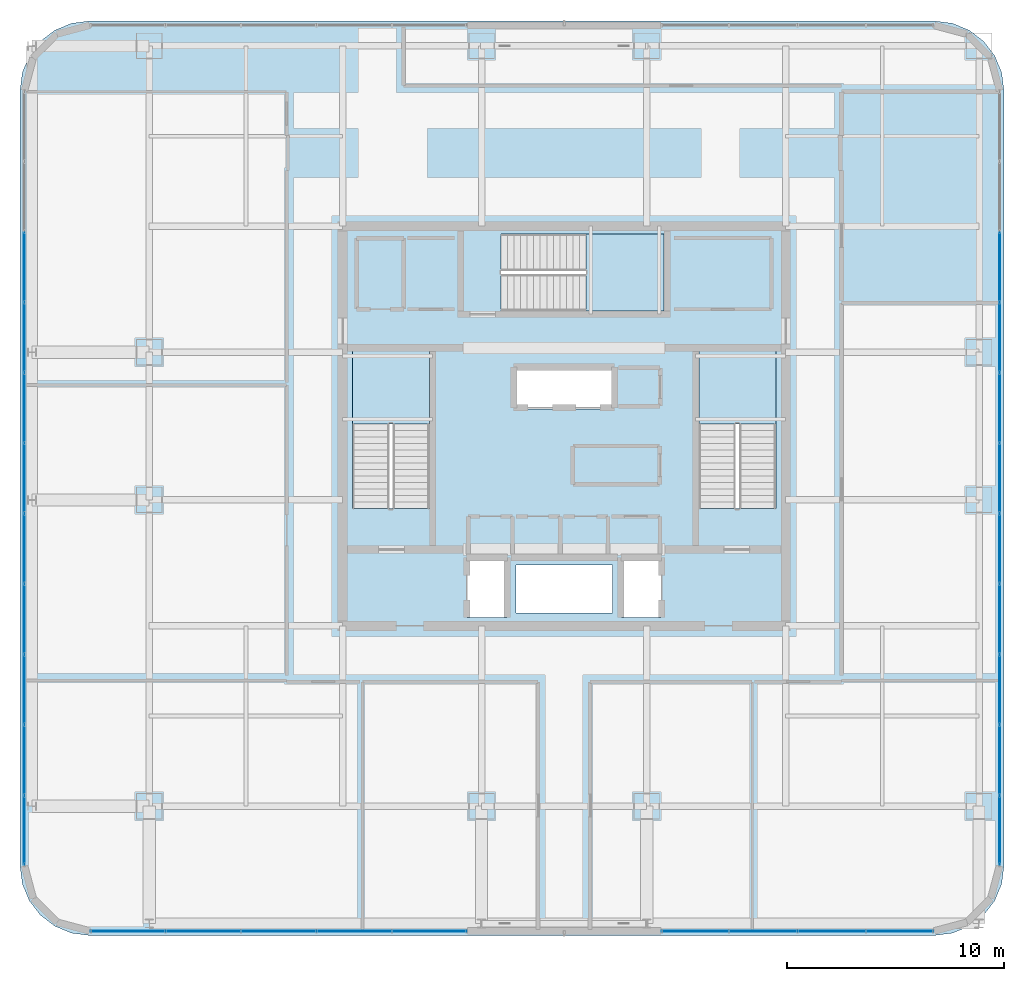
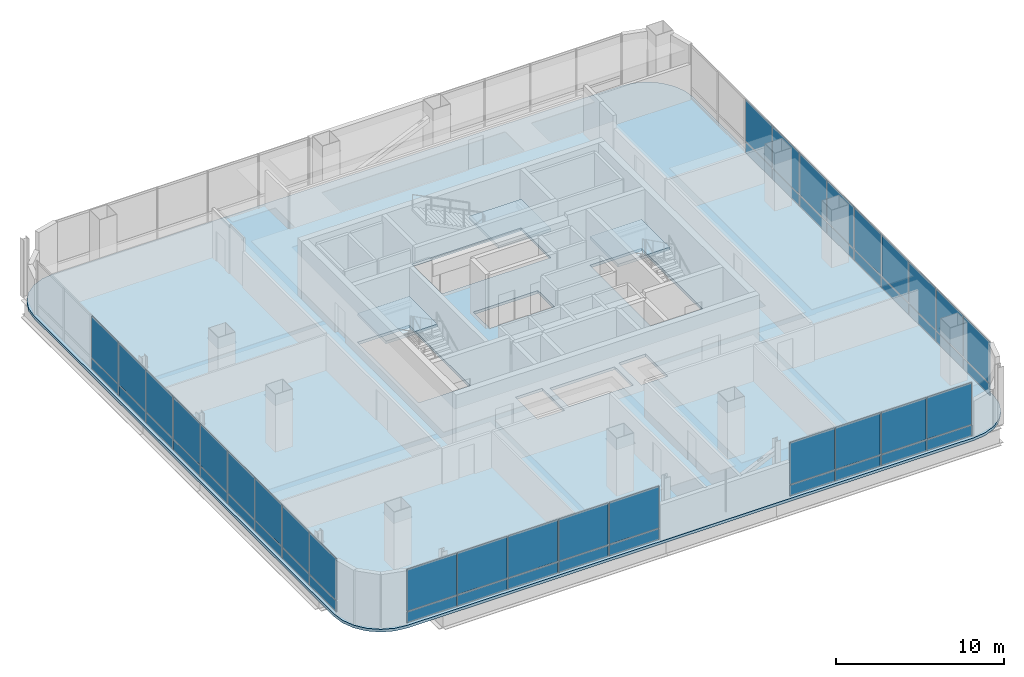
# One storey, part 32 of 46: 54 plates, 4 slabs, 7 elements without a shape of their own.
"""IFC4 building model written with IfcOpenShell, lengths in metres."""

from ifc_helpers import new_model, si_unit, direction, frame, origin, origin_2d, place, context, subcontext, project, spatial, polyline, rectangle, outline, extrude, material, layer, layer_set, type_object, element, aggregate, save


model = new_model("IFC4")

# Units and contexts
model_context = context("Model", 3, precision=1e-05, world=origin(), true_north=direction((0.0, 1.0)))
body_context = subcontext(model_context, "Body", "Model", "MODEL_VIEW")
ifc_project = project(units=[si_unit("LENGTHUNIT", "METRE"), si_unit("AREAUNIT", "SQUARE_METRE"), si_unit("VOLUMEUNIT", "CUBIC_METRE"), si_unit("PLANEANGLEUNIT", "RADIAN"), si_unit("MASSUNIT", "GRAM", prefix="KILO")], contexts=[model_context])

# Site, building, storey
site_placement = place(None, origin())
site = spatial("IfcSite", under=ifc_project, at=site_placement, CompositionType="ELEMENT")
building_placement = place(site_placement, origin())
building = spatial("IfcBuilding", under=site, at=building_placement, Name="Punatoya Terracotta Tower", CompositionType="ELEMENT")
storey_placement = place(building_placement, frame((0.0, 0.0, 330.0)))
storey = spatial("IfcBuildingStorey", under=building, at=storey_placement, Name="L78", CompositionType="ELEMENT", Elevation=330.0)

# Curtain wall, plates
ifc_material_1 = material(Name="Aluminium 6063-T6 + Double Low-E Glass", Category="aluminium")
curtain_wall_type = type_object("IfcCurtainWallType", Name="CW-OBS", PredefinedType="NOTDEFINED", material=ifc_material_1)
curtain_wall_1_placement = place(storey_placement, origin())
curtain_wall_1 = element("IfcCurtainWall", 1, at=curtain_wall_1_placement, inside=storey, type_object=curtain_wall_type, Name="L78 Curtain Wall CW-L78-S01-1", PredefinedType="NOTDEFINED")
ifc_material_2 = material(Name="Laminated Observation Low-Iron Glass", Category="glass")
ifc_layer_1 = layer(ifc_material_2, 0.0380859375)
ifc_layer_set_1 = layer_set([ifc_layer_1], Name="Laminated Observation Low-Iron Glass")
plate_type_1 = type_object("IfcPlateType", Name="PLT-GLZ-38", PredefinedType="CURTAIN_PANEL", material=ifc_layer_set_1)
plate_1_placement = place(storey_placement, frame((-20.09814453125, -23.25, 0.89013671875), z_axis=(0.0, 0.0, 1.0), x_axis=(1.0, 0.0, 0.0)))
plate_1 = element("IfcPlate", 2, at=plate_1_placement, type_object=plate_type_1, Name="CW-L78-S01-1 Vision Glass Panel 1", PredefinedType="CURTAIN_PANEL", context=body_context, shape_type="SweptSolid", body=[
    extrude(rectangle(XDim=3.392333984375, YDim=0.0380859375, at=origin_2d()), origin(), (0.0, 0.0, 1.0), 3.010009765625),
])
plate_2_placement = place(storey_placement, frame((-16.620849609375, -23.25, 0.89013671875), z_axis=(0.0, 0.0, 1.0), x_axis=(1.0, 0.0, 0.0)))
plate_2 = element("IfcPlate", 3, at=plate_2_placement, type_object=plate_type_1, Name="CW-L78-S01-1 Vision Glass Panel 2", PredefinedType="CURTAIN_PANEL", context=body_context, shape_type="SweptSolid", body=[
    extrude(rectangle(XDim=3.392333984375, YDim=0.0380859375, at=origin_2d()), origin(), (0.0, 0.0, 1.0), 3.010009765625),
])
plate_3_placement = place(storey_placement, frame((-13.143310546875, -23.25, 0.89013671875), z_axis=(0.0, 0.0, 1.0), x_axis=(1.0, 0.0, 0.0)))
plate_3 = element("IfcPlate", 4, at=plate_3_placement, type_object=plate_type_1, Name="CW-L78-S01-1 Vision Glass Panel 3", PredefinedType="CURTAIN_PANEL", context=body_context, shape_type="SweptSolid", body=[
    extrude(rectangle(XDim=3.392333984375, YDim=0.0380859375, at=origin_2d()), origin(), (0.0, 0.0, 1.0), 3.010009765625),
])
plate_4_placement = place(storey_placement, frame((-9.666015625, -23.25, 0.89013671875), z_axis=(0.0, 0.0, 1.0), x_axis=(1.0, 0.0, 0.0)))
plate_4 = element("IfcPlate", 5, at=plate_4_placement, type_object=plate_type_1, Name="CW-L78-S01-1 Vision Glass Panel 4", PredefinedType="CURTAIN_PANEL", context=body_context, shape_type="SweptSolid", body=[
    extrude(rectangle(XDim=3.392333984375, YDim=0.0380859375, at=origin_2d()), origin(), (0.0, 0.0, 1.0), 3.010009765625),
])
plate_5_placement = place(storey_placement, frame((-6.188720703125, -23.25, 0.89013671875), z_axis=(0.0, 0.0, 1.0), x_axis=(1.0, 0.0, 0.0)))
plate_5 = element("IfcPlate", 6, at=plate_5_placement, type_object=plate_type_1, Name="CW-L78-S01-1 Vision Glass Panel 5", PredefinedType="CURTAIN_PANEL", context=body_context, shape_type="SweptSolid", body=[
    extrude(rectangle(XDim=3.392333984375, YDim=0.0380859375, at=origin_2d()), origin(), (0.0, 0.0, 1.0), 3.010009765625),
])

curtain_wall_2_placement = place(storey_placement, origin())
curtain_wall_2 = element("IfcCurtainWall", 7, at=curtain_wall_2_placement, inside=storey, type_object=curtain_wall_type, Name="L78 Curtain Wall CW-L78-S01-2", PredefinedType="NOTDEFINED")
plate_6_placement = place(storey_placement, frame((6.0234375, -23.25, 0.89013671875), z_axis=(0.0, 0.0, 1.0), x_axis=(1.0, 0.0, 0.0)))
plate_6 = element("IfcPlate", 8, at=plate_6_placement, type_object=plate_type_1, Name="CW-L78-S01-2 Vision Glass Panel 1", PredefinedType="CURTAIN_PANEL", context=body_context, shape_type="SweptSolid", body=[
    extrude(rectangle(XDim=3.061767578125, YDim=0.0380859375, at=origin_2d()), origin(), (0.0, 0.0, 1.0), 3.010009765625),
])
plate_7_placement = place(storey_placement, frame((9.170166015625, -23.25, 0.89013671875), z_axis=(0.0, 0.0, 1.0), x_axis=(1.0, 0.0, 0.0)))
plate_7 = element("IfcPlate", 9, at=plate_7_placement, type_object=plate_type_1, Name="CW-L78-S01-2 Vision Glass Panel 2", PredefinedType="CURTAIN_PANEL", context=body_context, shape_type="SweptSolid", body=[
    extrude(rectangle(XDim=3.061767578125, YDim=0.0380859375, at=origin_2d()), origin(), (0.0, 0.0, 1.0), 3.010009765625),
])
plate_8_placement = place(storey_placement, frame((12.31689453125, -23.25, 0.89013671875), z_axis=(0.0, 0.0, 1.0), x_axis=(1.0, 0.0, 0.0)))
plate_8 = element("IfcPlate", 10, at=plate_8_placement, type_object=plate_type_1, Name="CW-L78-S01-2 Vision Glass Panel 3", PredefinedType="CURTAIN_PANEL", context=body_context, shape_type="SweptSolid", body=[
    extrude(rectangle(XDim=3.061767578125, YDim=0.0380859375, at=origin_2d()), origin(), (0.0, 0.0, 1.0), 3.010009765625),
])
plate_9_placement = place(storey_placement, frame((15.46337890625, -23.25, 0.89013671875), z_axis=(0.0, 0.0, 1.0), x_axis=(1.0, 0.0, 0.0)))
plate_9 = element("IfcPlate", 11, at=plate_9_placement, type_object=plate_type_1, Name="CW-L78-S01-2 Vision Glass Panel 4", PredefinedType="CURTAIN_PANEL", context=body_context, shape_type="SweptSolid", body=[
    extrude(rectangle(XDim=3.061767578125, YDim=0.0380859375, at=origin_2d()), origin(), (0.0, 0.0, 1.0), 3.010009765625),
])

curtain_wall_3_placement = place(storey_placement, origin())
curtain_wall_3 = element("IfcCurtainWall", 12, at=curtain_wall_3_placement, inside=storey, type_object=curtain_wall_type, Name="L78 Curtain Wall CW-L78-E05-1", PredefinedType="NOTDEFINED")
plate_10_placement = place(storey_placement, frame((20.050048828125, -18.615478515625, 0.89013671875), z_axis=(0.0, 0.0, 1.0), x_axis=(0.0, 1.0, 0.0)))
plate_10 = element("IfcPlate", 13, at=plate_10_placement, type_object=plate_type_1, Name="CW-L78-E05-1 Vision Glass Panel 1", PredefinedType="CURTAIN_PANEL", context=body_context, shape_type="SweptSolid", body=[
    extrude(rectangle(XDim=3.158203125, YDim=0.0380859375, at=origin_2d()), origin(), (0.0, 0.0, 1.0), 3.010009765625),
])
plate_11_placement = place(storey_placement, frame((20.050048828125, -15.372314453125, 0.89013671875), z_axis=(0.0, 0.0, 1.0), x_axis=(0.0, 1.0, 0.0)))
plate_11 = element("IfcPlate", 14, at=plate_11_placement, type_object=plate_type_1, Name="CW-L78-E05-1 Vision Glass Panel 2", PredefinedType="CURTAIN_PANEL", context=body_context, shape_type="SweptSolid", body=[
    extrude(rectangle(XDim=3.158203125, YDim=0.0380859375, at=origin_2d()), origin(), (0.0, 0.0, 1.0), 3.010009765625),
])
plate_12_placement = place(storey_placement, frame((20.050048828125, -12.129150390625, 0.89013671875), z_axis=(0.0, 0.0, 1.0), x_axis=(0.0, 1.0, 0.0)))
plate_12 = element("IfcPlate", 15, at=plate_12_placement, type_object=plate_type_1, Name="CW-L78-E05-1 Vision Glass Panel 3", PredefinedType="CURTAIN_PANEL", context=body_context, shape_type="SweptSolid", body=[
    extrude(rectangle(XDim=3.158203125, YDim=0.0380859375, at=origin_2d()), origin(), (0.0, 0.0, 1.0), 3.010009765625),
])
plate_13_placement = place(storey_placement, frame((20.050048828125, -8.885986328125, 0.89013671875), z_axis=(0.0, 0.0, 1.0), x_axis=(0.0, 1.0, 0.0)))
plate_13 = element("IfcPlate", 16, at=plate_13_placement, type_object=plate_type_1, Name="CW-L78-E05-1 Vision Glass Panel 4", PredefinedType="CURTAIN_PANEL", context=body_context, shape_type="SweptSolid", body=[
    extrude(rectangle(XDim=3.158203125, YDim=0.0380859375, at=origin_2d()), origin(), (0.0, 0.0, 1.0), 3.010009765625),
])
plate_14_placement = place(storey_placement, frame((20.050048828125, -5.64306640625, 0.89013671875), z_axis=(0.0, 0.0, 1.0), x_axis=(0.0, 1.0, 0.0)))
plate_14 = element("IfcPlate", 17, at=plate_14_placement, type_object=plate_type_1, Name="CW-L78-E05-1 Vision Glass Panel 5", PredefinedType="CURTAIN_PANEL", context=body_context, shape_type="SweptSolid", body=[
    extrude(rectangle(XDim=3.158203125, YDim=0.0380859375, at=origin_2d()), origin(), (0.0, 0.0, 1.0), 3.010009765625),
])
plate_15_placement = place(storey_placement, frame((20.050048828125, -2.39990234375, 0.89013671875), z_axis=(0.0, 0.0, 1.0), x_axis=(0.0, 1.0, 0.0)))
plate_15 = element("IfcPlate", 18, at=plate_15_placement, type_object=plate_type_1, Name="CW-L78-E05-1 Vision Glass Panel 6", PredefinedType="CURTAIN_PANEL", context=body_context, shape_type="SweptSolid", body=[
    extrude(rectangle(XDim=3.158203125, YDim=0.0380859375, at=origin_2d()), origin(), (0.0, 0.0, 1.0), 3.010009765625),
])
plate_16_placement = place(storey_placement, frame((20.050048828125, 0.843017578125, 0.89013671875), z_axis=(0.0, 0.0, 1.0), x_axis=(0.0, 1.0, 0.0)))
plate_16 = element("IfcPlate", 19, at=plate_16_placement, type_object=plate_type_1, Name="CW-L78-E05-1 Vision Glass Panel 7", PredefinedType="CURTAIN_PANEL", context=body_context, shape_type="SweptSolid", body=[
    extrude(rectangle(XDim=3.158203125, YDim=0.0380859375, at=origin_2d()), origin(), (0.0, 0.0, 1.0), 3.010009765625),
])
plate_17_placement = place(storey_placement, frame((20.050048828125, 4.086181640625, 0.89013671875), z_axis=(0.0, 0.0, 1.0), x_axis=(0.0, 1.0, 0.0)))
plate_17 = element("IfcPlate", 20, at=plate_17_placement, type_object=plate_type_1, Name="CW-L78-E05-1 Vision Glass Panel 8", PredefinedType="CURTAIN_PANEL", context=body_context, shape_type="SweptSolid", body=[
    extrude(rectangle(XDim=3.158203125, YDim=0.0380859375, at=origin_2d()), origin(), (0.0, 0.0, 1.0), 3.010009765625),
])
plate_18_placement = place(storey_placement, frame((20.050048828125, 7.3291015625, 0.89013671875), z_axis=(0.0, 0.0, 1.0), x_axis=(0.0, 1.0, 0.0)))
plate_18 = element("IfcPlate", 21, at=plate_18_placement, type_object=plate_type_1, Name="CW-L78-E05-1 Vision Glass Panel 9", PredefinedType="CURTAIN_PANEL", context=body_context, shape_type="SweptSolid", body=[
    extrude(rectangle(XDim=3.158203125, YDim=0.0380859375, at=origin_2d()), origin(), (0.0, 0.0, 1.0), 3.010009765625),
])

curtain_wall_4_placement = place(storey_placement, origin())
curtain_wall_4 = element("IfcCurtainWall", 22, at=curtain_wall_4_placement, inside=storey, type_object=curtain_wall_type, Name="L78 Curtain Wall CW-L78-W13-1", PredefinedType="NOTDEFINED")
plate_19_placement = place(storey_placement, frame((-24.85009765625, 7.3291015625, 0.89013671875), z_axis=(0.0, 0.0, 1.0), x_axis=(0.0, -1.0, 0.0)))
plate_19 = element("IfcPlate", 23, at=plate_19_placement, type_object=plate_type_1, Name="CW-L78-W13-1 Vision Glass Panel 3", PredefinedType="CURTAIN_PANEL", context=body_context, shape_type="SweptSolid", body=[
    extrude(rectangle(XDim=3.158203125, YDim=0.0380859375, at=origin_2d()), origin(), (0.0, 0.0, 1.0), 3.010009765625),
])
plate_20_placement = place(storey_placement, frame((-24.85009765625, 4.086181640625, 0.89013671875), z_axis=(0.0, 0.0, 1.0), x_axis=(0.0, -1.0, 0.0)))
plate_20 = element("IfcPlate", 24, at=plate_20_placement, type_object=plate_type_1, Name="CW-L78-W13-1 Vision Glass Panel 4", PredefinedType="CURTAIN_PANEL", context=body_context, shape_type="SweptSolid", body=[
    extrude(rectangle(XDim=3.158203125, YDim=0.0380859375, at=origin_2d()), origin(), (0.0, 0.0, 1.0), 3.010009765625),
])
plate_21_placement = place(storey_placement, frame((-24.85009765625, 0.843017578125, 0.89013671875), z_axis=(0.0, 0.0, 1.0), x_axis=(0.0, -1.0, 0.0)))
plate_21 = element("IfcPlate", 25, at=plate_21_placement, type_object=plate_type_1, Name="CW-L78-W13-1 Vision Glass Panel 5", PredefinedType="CURTAIN_PANEL", context=body_context, shape_type="SweptSolid", body=[
    extrude(rectangle(XDim=3.158203125, YDim=0.0380859375, at=origin_2d()), origin(), (0.0, 0.0, 1.0), 3.010009765625),
])
plate_22_placement = place(storey_placement, frame((-24.85009765625, -2.39990234375, 0.89013671875), z_axis=(0.0, 0.0, 1.0), x_axis=(0.0, -1.0, 0.0)))
plate_22 = element("IfcPlate", 26, at=plate_22_placement, type_object=plate_type_1, Name="CW-L78-W13-1 Vision Glass Panel 6", PredefinedType="CURTAIN_PANEL", context=body_context, shape_type="SweptSolid", body=[
    extrude(rectangle(XDim=3.158203125, YDim=0.0380859375, at=origin_2d()), origin(), (0.0, 0.0, 1.0), 3.010009765625),
])
plate_23_placement = place(storey_placement, frame((-24.85009765625, -5.64306640625, 0.89013671875), z_axis=(0.0, 0.0, 1.0), x_axis=(0.0, -1.0, 0.0)))
plate_23 = element("IfcPlate", 27, at=plate_23_placement, type_object=plate_type_1, Name="CW-L78-W13-1 Vision Glass Panel 7", PredefinedType="CURTAIN_PANEL", context=body_context, shape_type="SweptSolid", body=[
    extrude(rectangle(XDim=3.158203125, YDim=0.0380859375, at=origin_2d()), origin(), (0.0, 0.0, 1.0), 3.010009765625),
])
plate_24_placement = place(storey_placement, frame((-24.85009765625, -8.885986328125, 0.89013671875), z_axis=(0.0, 0.0, 1.0), x_axis=(0.0, -1.0, 0.0)))
plate_24 = element("IfcPlate", 28, at=plate_24_placement, type_object=plate_type_1, Name="CW-L78-W13-1 Vision Glass Panel 8", PredefinedType="CURTAIN_PANEL", context=body_context, shape_type="SweptSolid", body=[
    extrude(rectangle(XDim=3.158203125, YDim=0.0380859375, at=origin_2d()), origin(), (0.0, 0.0, 1.0), 3.010009765625),
])
plate_25_placement = place(storey_placement, frame((-24.85009765625, -12.129150390625, 0.89013671875), z_axis=(0.0, 0.0, 1.0), x_axis=(0.0, -1.0, 0.0)))
plate_25 = element("IfcPlate", 29, at=plate_25_placement, type_object=plate_type_1, Name="CW-L78-W13-1 Vision Glass Panel 9", PredefinedType="CURTAIN_PANEL", context=body_context, shape_type="SweptSolid", body=[
    extrude(rectangle(XDim=3.158203125, YDim=0.0380859375, at=origin_2d()), origin(), (0.0, 0.0, 1.0), 3.010009765625),
])
plate_26_placement = place(storey_placement, frame((-24.85009765625, -15.372314453125, 0.89013671875), z_axis=(0.0, 0.0, 1.0), x_axis=(0.0, -1.0, 0.0)))
plate_26 = element("IfcPlate", 30, at=plate_26_placement, type_object=plate_type_1, Name="CW-L78-W13-1 Vision Glass Panel 10", PredefinedType="CURTAIN_PANEL", context=body_context, shape_type="SweptSolid", body=[
    extrude(rectangle(XDim=3.158203125, YDim=0.0380859375, at=origin_2d()), origin(), (0.0, 0.0, 1.0), 3.010009765625),
])
plate_27_placement = place(storey_placement, frame((-24.85009765625, -18.615478515625, 0.89013671875), z_axis=(0.0, 0.0, 1.0), x_axis=(0.0, -1.0, 0.0)))
plate_27 = element("IfcPlate", 31, at=plate_27_placement, type_object=plate_type_1, Name="CW-L78-W13-1 Vision Glass Panel 11", PredefinedType="CURTAIN_PANEL", context=body_context, shape_type="SweptSolid", body=[
    extrude(rectangle(XDim=3.158203125, YDim=0.0380859375, at=origin_2d()), origin(), (0.0, 0.0, 1.0), 3.010009765625),
])

# Plate
ifc_material_3 = material(Name="Insulated Terracotta-Backed Spandrel Panel", Category="masonry")
ifc_layer_2 = layer(ifc_material_3, 0.044921875)
ifc_layer_set_2 = layer_set([ifc_layer_2], Name="Insulated Terracotta-Backed Spandrel Panel")
plate_type_2 = type_object("IfcPlateType", Name="PLT-SPN-45", PredefinedType="CURTAIN_PANEL", material=ifc_layer_set_2)
plate_28_placement = place(storey_placement, frame((-20.09814453125, -23.25, 0.0400390625), z_axis=(0.0, 0.0, 1.0), x_axis=(1.0, 0.0, 0.0)))
plate_28 = element("IfcPlate", 32, at=plate_28_placement, type_object=plate_type_2, Name="CW-L78-S01-1 Terracotta Spandrel Panel 1", PredefinedType="CURTAIN_PANEL", context=body_context, shape_type="SweptSolid", body=[
    extrude(rectangle(XDim=3.392333984375, YDim=0.044921875, at=origin_2d()), origin(), (0.0, 0.0, 1.0), 0.77490234375),
])

plate_29_placement = place(storey_placement, frame((-16.620849609375, -23.25, 0.0400390625), z_axis=(0.0, 0.0, 1.0), x_axis=(1.0, 0.0, 0.0)))
plate_29 = element("IfcPlate", 33, at=plate_29_placement, type_object=plate_type_2, Name="CW-L78-S01-1 Terracotta Spandrel Panel 2", PredefinedType="CURTAIN_PANEL", context=body_context, shape_type="SweptSolid", body=[
    extrude(rectangle(XDim=3.392333984375, YDim=0.044921875, at=origin_2d()), origin(), (0.0, 0.0, 1.0), 0.77490234375),
])

plate_30_placement = place(storey_placement, frame((-13.143310546875, -23.25, 0.0400390625), z_axis=(0.0, 0.0, 1.0), x_axis=(1.0, 0.0, 0.0)))
plate_30 = element("IfcPlate", 34, at=plate_30_placement, type_object=plate_type_2, Name="CW-L78-S01-1 Terracotta Spandrel Panel 3", PredefinedType="CURTAIN_PANEL", context=body_context, shape_type="SweptSolid", body=[
    extrude(rectangle(XDim=3.392333984375, YDim=0.044921875, at=origin_2d()), origin(), (0.0, 0.0, 1.0), 0.77490234375),
])

plate_31_placement = place(storey_placement, frame((-9.666015625, -23.25, 0.0400390625), z_axis=(0.0, 0.0, 1.0), x_axis=(1.0, 0.0, 0.0)))
plate_31 = element("IfcPlate", 35, at=plate_31_placement, type_object=plate_type_2, Name="CW-L78-S01-1 Terracotta Spandrel Panel 4", PredefinedType="CURTAIN_PANEL", context=body_context, shape_type="SweptSolid", body=[
    extrude(rectangle(XDim=3.392333984375, YDim=0.044921875, at=origin_2d()), origin(), (0.0, 0.0, 1.0), 0.77490234375),
])

plate_32_placement = place(storey_placement, frame((-6.188720703125, -23.25, 0.0400390625), z_axis=(0.0, 0.0, 1.0), x_axis=(1.0, 0.0, 0.0)))
plate_32 = element("IfcPlate", 36, at=plate_32_placement, type_object=plate_type_2, Name="CW-L78-S01-1 Terracotta Spandrel Panel 5", PredefinedType="CURTAIN_PANEL", context=body_context, shape_type="SweptSolid", body=[
    extrude(rectangle(XDim=3.392333984375, YDim=0.044921875, at=origin_2d()), origin(), (0.0, 0.0, 1.0), 0.77490234375),
])

aggregate(curtain_wall_1, [plate_28, plate_1, plate_29, plate_2, plate_30, plate_3, plate_31, plate_4, plate_32, plate_5])

plate_33_placement = place(storey_placement, frame((6.0234375, -23.25, 0.0400390625), z_axis=(0.0, 0.0, 1.0), x_axis=(1.0, 0.0, 0.0)))
plate_33 = element("IfcPlate", 37, at=plate_33_placement, type_object=plate_type_2, Name="CW-L78-S01-2 Terracotta Spandrel Panel 1", PredefinedType="CURTAIN_PANEL", context=body_context, shape_type="SweptSolid", body=[
    extrude(rectangle(XDim=3.061767578125, YDim=0.044921875, at=origin_2d()), origin(), (0.0, 0.0, 1.0), 0.77490234375),
])

plate_34_placement = place(storey_placement, frame((9.170166015625, -23.25, 0.0400390625), z_axis=(0.0, 0.0, 1.0), x_axis=(1.0, 0.0, 0.0)))
plate_34 = element("IfcPlate", 38, at=plate_34_placement, type_object=plate_type_2, Name="CW-L78-S01-2 Terracotta Spandrel Panel 2", PredefinedType="CURTAIN_PANEL", context=body_context, shape_type="SweptSolid", body=[
    extrude(rectangle(XDim=3.061767578125, YDim=0.044921875, at=origin_2d()), origin(), (0.0, 0.0, 1.0), 0.77490234375),
])

plate_35_placement = place(storey_placement, frame((12.31689453125, -23.25, 0.0400390625), z_axis=(0.0, 0.0, 1.0), x_axis=(1.0, 0.0, 0.0)))
plate_35 = element("IfcPlate", 39, at=plate_35_placement, type_object=plate_type_2, Name="CW-L78-S01-2 Terracotta Spandrel Panel 3", PredefinedType="CURTAIN_PANEL", context=body_context, shape_type="SweptSolid", body=[
    extrude(rectangle(XDim=3.061767578125, YDim=0.044921875, at=origin_2d()), origin(), (0.0, 0.0, 1.0), 0.77490234375),
])

plate_36_placement = place(storey_placement, frame((15.46337890625, -23.25, 0.0400390625), z_axis=(0.0, 0.0, 1.0), x_axis=(1.0, 0.0, 0.0)))
plate_36 = element("IfcPlate", 40, at=plate_36_placement, type_object=plate_type_2, Name="CW-L78-S01-2 Terracotta Spandrel Panel 4", PredefinedType="CURTAIN_PANEL", context=body_context, shape_type="SweptSolid", body=[
    extrude(rectangle(XDim=3.061767578125, YDim=0.044921875, at=origin_2d()), origin(), (0.0, 0.0, 1.0), 0.77490234375),
])

aggregate(curtain_wall_2, [plate_33, plate_6, plate_34, plate_7, plate_35, plate_8, plate_36, plate_9])

plate_37_placement = place(storey_placement, frame((20.050048828125, -18.615478515625, 0.0400390625), z_axis=(0.0, 0.0, 1.0), x_axis=(0.0, 1.0, 0.0)))
plate_37 = element("IfcPlate", 41, at=plate_37_placement, type_object=plate_type_2, Name="CW-L78-E05-1 Terracotta Spandrel Panel 1", PredefinedType="CURTAIN_PANEL", context=body_context, shape_type="SweptSolid", body=[
    extrude(rectangle(XDim=3.158203125, YDim=0.044921875, at=origin_2d()), origin(), (0.0, 0.0, 1.0), 0.77490234375),
])

plate_38_placement = place(storey_placement, frame((20.050048828125, -15.372314453125, 0.0400390625), z_axis=(0.0, 0.0, 1.0), x_axis=(0.0, 1.0, 0.0)))
plate_38 = element("IfcPlate", 42, at=plate_38_placement, type_object=plate_type_2, Name="CW-L78-E05-1 Terracotta Spandrel Panel 2", PredefinedType="CURTAIN_PANEL", context=body_context, shape_type="SweptSolid", body=[
    extrude(rectangle(XDim=3.158203125, YDim=0.044921875, at=origin_2d()), origin(), (0.0, 0.0, 1.0), 0.77490234375),
])

plate_39_placement = place(storey_placement, frame((20.050048828125, -12.129150390625, 0.0400390625), z_axis=(0.0, 0.0, 1.0), x_axis=(0.0, 1.0, 0.0)))
plate_39 = element("IfcPlate", 43, at=plate_39_placement, type_object=plate_type_2, Name="CW-L78-E05-1 Terracotta Spandrel Panel 3", PredefinedType="CURTAIN_PANEL", context=body_context, shape_type="SweptSolid", body=[
    extrude(rectangle(XDim=3.158203125, YDim=0.044921875, at=origin_2d()), origin(), (0.0, 0.0, 1.0), 0.77490234375),
])

plate_40_placement = place(storey_placement, frame((20.050048828125, -8.885986328125, 0.0400390625), z_axis=(0.0, 0.0, 1.0), x_axis=(0.0, 1.0, 0.0)))
plate_40 = element("IfcPlate", 44, at=plate_40_placement, type_object=plate_type_2, Name="CW-L78-E05-1 Terracotta Spandrel Panel 4", PredefinedType="CURTAIN_PANEL", context=body_context, shape_type="SweptSolid", body=[
    extrude(rectangle(XDim=3.158203125, YDim=0.044921875, at=origin_2d()), origin(), (0.0, 0.0, 1.0), 0.77490234375),
])

plate_41_placement = place(storey_placement, frame((20.050048828125, -5.64306640625, 0.0400390625), z_axis=(0.0, 0.0, 1.0), x_axis=(0.0, 1.0, 0.0)))
plate_41 = element("IfcPlate", 45, at=plate_41_placement, type_object=plate_type_2, Name="CW-L78-E05-1 Terracotta Spandrel Panel 5", PredefinedType="CURTAIN_PANEL", context=body_context, shape_type="SweptSolid", body=[
    extrude(rectangle(XDim=3.158203125, YDim=0.044921875, at=origin_2d()), origin(), (0.0, 0.0, 1.0), 0.77490234375),
])

plate_42_placement = place(storey_placement, frame((20.050048828125, -2.39990234375, 0.0400390625), z_axis=(0.0, 0.0, 1.0), x_axis=(0.0, 1.0, 0.0)))
plate_42 = element("IfcPlate", 46, at=plate_42_placement, type_object=plate_type_2, Name="CW-L78-E05-1 Terracotta Spandrel Panel 6", PredefinedType="CURTAIN_PANEL", context=body_context, shape_type="SweptSolid", body=[
    extrude(rectangle(XDim=3.158203125, YDim=0.044921875, at=origin_2d()), origin(), (0.0, 0.0, 1.0), 0.77490234375),
])

plate_43_placement = place(storey_placement, frame((20.050048828125, 0.843017578125, 0.0400390625), z_axis=(0.0, 0.0, 1.0), x_axis=(0.0, 1.0, 0.0)))
plate_43 = element("IfcPlate", 47, at=plate_43_placement, type_object=plate_type_2, Name="CW-L78-E05-1 Terracotta Spandrel Panel 7", PredefinedType="CURTAIN_PANEL", context=body_context, shape_type="SweptSolid", body=[
    extrude(rectangle(XDim=3.158203125, YDim=0.044921875, at=origin_2d()), origin(), (0.0, 0.0, 1.0), 0.77490234375),
])

plate_44_placement = place(storey_placement, frame((20.050048828125, 4.086181640625, 0.0400390625), z_axis=(0.0, 0.0, 1.0), x_axis=(0.0, 1.0, 0.0)))
plate_44 = element("IfcPlate", 48, at=plate_44_placement, type_object=plate_type_2, Name="CW-L78-E05-1 Terracotta Spandrel Panel 8", PredefinedType="CURTAIN_PANEL", context=body_context, shape_type="SweptSolid", body=[
    extrude(rectangle(XDim=3.158203125, YDim=0.044921875, at=origin_2d()), origin(), (0.0, 0.0, 1.0), 0.77490234375),
])

plate_45_placement = place(storey_placement, frame((20.050048828125, 7.3291015625, 0.0400390625), z_axis=(0.0, 0.0, 1.0), x_axis=(0.0, 1.0, 0.0)))
plate_45 = element("IfcPlate", 49, at=plate_45_placement, type_object=plate_type_2, Name="CW-L78-E05-1 Terracotta Spandrel Panel 9", PredefinedType="CURTAIN_PANEL", context=body_context, shape_type="SweptSolid", body=[
    extrude(rectangle(XDim=3.158203125, YDim=0.044921875, at=origin_2d()), origin(), (0.0, 0.0, 1.0), 0.77490234375),
])

aggregate(curtain_wall_3, [plate_37, plate_10, plate_38, plate_11, plate_39, plate_12, plate_40, plate_13, plate_41, plate_14, plate_42, plate_15, plate_43, plate_16, plate_44, plate_17, plate_45, plate_18])

plate_46_placement = place(storey_placement, frame((-24.85009765625, 7.3291015625, 0.0400390625), z_axis=(0.0, 0.0, 1.0), x_axis=(0.0, -1.0, 0.0)))
plate_46 = element("IfcPlate", 50, at=plate_46_placement, type_object=plate_type_2, Name="CW-L78-W13-1 Terracotta Spandrel Panel 3", PredefinedType="CURTAIN_PANEL", context=body_context, shape_type="SweptSolid", body=[
    extrude(rectangle(XDim=3.158203125, YDim=0.044921875, at=origin_2d()), origin(), (0.0, 0.0, 1.0), 0.77490234375),
])

plate_47_placement = place(storey_placement, frame((-24.85009765625, 4.086181640625, 0.0400390625), z_axis=(0.0, 0.0, 1.0), x_axis=(0.0, -1.0, 0.0)))
plate_47 = element("IfcPlate", 51, at=plate_47_placement, type_object=plate_type_2, Name="CW-L78-W13-1 Terracotta Spandrel Panel 4", PredefinedType="CURTAIN_PANEL", context=body_context, shape_type="SweptSolid", body=[
    extrude(rectangle(XDim=3.158203125, YDim=0.044921875, at=origin_2d()), origin(), (0.0, 0.0, 1.0), 0.77490234375),
])

plate_48_placement = place(storey_placement, frame((-24.85009765625, 0.843017578125, 0.0400390625), z_axis=(0.0, 0.0, 1.0), x_axis=(0.0, -1.0, 0.0)))
plate_48 = element("IfcPlate", 52, at=plate_48_placement, type_object=plate_type_2, Name="CW-L78-W13-1 Terracotta Spandrel Panel 5", PredefinedType="CURTAIN_PANEL", context=body_context, shape_type="SweptSolid", body=[
    extrude(rectangle(XDim=3.158203125, YDim=0.044921875, at=origin_2d()), origin(), (0.0, 0.0, 1.0), 0.77490234375),
])

plate_49_placement = place(storey_placement, frame((-24.85009765625, -2.39990234375, 0.0400390625), z_axis=(0.0, 0.0, 1.0), x_axis=(0.0, -1.0, 0.0)))
plate_49 = element("IfcPlate", 53, at=plate_49_placement, type_object=plate_type_2, Name="CW-L78-W13-1 Terracotta Spandrel Panel 6", PredefinedType="CURTAIN_PANEL", context=body_context, shape_type="SweptSolid", body=[
    extrude(rectangle(XDim=3.158203125, YDim=0.044921875, at=origin_2d()), origin(), (0.0, 0.0, 1.0), 0.77490234375),
])

plate_50_placement = place(storey_placement, frame((-24.85009765625, -5.64306640625, 0.0400390625), z_axis=(0.0, 0.0, 1.0), x_axis=(0.0, -1.0, 0.0)))
plate_50 = element("IfcPlate", 54, at=plate_50_placement, type_object=plate_type_2, Name="CW-L78-W13-1 Terracotta Spandrel Panel 7", PredefinedType="CURTAIN_PANEL", context=body_context, shape_type="SweptSolid", body=[
    extrude(rectangle(XDim=3.158203125, YDim=0.044921875, at=origin_2d()), origin(), (0.0, 0.0, 1.0), 0.77490234375),
])

plate_51_placement = place(storey_placement, frame((-24.85009765625, -8.885986328125, 0.0400390625), z_axis=(0.0, 0.0, 1.0), x_axis=(0.0, -1.0, 0.0)))
plate_51 = element("IfcPlate", 55, at=plate_51_placement, type_object=plate_type_2, Name="CW-L78-W13-1 Terracotta Spandrel Panel 8", PredefinedType="CURTAIN_PANEL", context=body_context, shape_type="SweptSolid", body=[
    extrude(rectangle(XDim=3.158203125, YDim=0.044921875, at=origin_2d()), origin(), (0.0, 0.0, 1.0), 0.77490234375),
])

plate_52_placement = place(storey_placement, frame((-24.85009765625, -12.129150390625, 0.0400390625), z_axis=(0.0, 0.0, 1.0), x_axis=(0.0, -1.0, 0.0)))
plate_52 = element("IfcPlate", 56, at=plate_52_placement, type_object=plate_type_2, Name="CW-L78-W13-1 Terracotta Spandrel Panel 9", PredefinedType="CURTAIN_PANEL", context=body_context, shape_type="SweptSolid", body=[
    extrude(rectangle(XDim=3.158203125, YDim=0.044921875, at=origin_2d()), origin(), (0.0, 0.0, 1.0), 0.77490234375),
])

plate_53_placement = place(storey_placement, frame((-24.85009765625, -15.372314453125, 0.0400390625), z_axis=(0.0, 0.0, 1.0), x_axis=(0.0, -1.0, 0.0)))
plate_53 = element("IfcPlate", 57, at=plate_53_placement, type_object=plate_type_2, Name="CW-L78-W13-1 Terracotta Spandrel Panel 10", PredefinedType="CURTAIN_PANEL", context=body_context, shape_type="SweptSolid", body=[
    extrude(rectangle(XDim=3.158203125, YDim=0.044921875, at=origin_2d()), origin(), (0.0, 0.0, 1.0), 0.77490234375),
])

plate_54_placement = place(storey_placement, frame((-24.85009765625, -18.615478515625, 0.0400390625), z_axis=(0.0, 0.0, 1.0), x_axis=(0.0, -1.0, 0.0)))
plate_54 = element("IfcPlate", 58, at=plate_54_placement, type_object=plate_type_2, Name="CW-L78-W13-1 Terracotta Spandrel Panel 11", PredefinedType="CURTAIN_PANEL", context=body_context, shape_type="SweptSolid", body=[
    extrude(rectangle(XDim=3.158203125, YDim=0.044921875, at=origin_2d()), origin(), (0.0, 0.0, 1.0), 0.77490234375),
])

aggregate(curtain_wall_4, [plate_46, plate_19, plate_47, plate_20, plate_48, plate_21, plate_49, plate_22, plate_50, plate_23, plate_51, plate_24, plate_52, plate_25, plate_53, plate_26, plate_54, plate_27])

# Stair, slab
ifc_material_4 = material(Name="Concrete C40/50", Category="concrete")
stair_type_1 = type_object("IfcStairType", Name="STR-TER-1450", PredefinedType="HALF_TURN_STAIR", material=ifc_material_4)
stair_1_placement = place(storey_placement, origin())
stair_1 = element("IfcStair", 59, at=stair_1_placement, inside=storey, type_object=stair_type_1, Name="L78 Protected Core Exit Stair ST-3", PredefinedType="HALF_TURN_STAIR")
ifc_layer_3 = layer(ifc_material_4, 0.1650390625)
ifc_layer_set_3 = layer_set([ifc_layer_3], Name="Concrete C40/50")
slab_type_1 = type_object("IfcSlabType", Name="SLB-LND-165", PredefinedType="LANDING", material=ifc_layer_set_3)
slab_1_placement = place(storey_placement, frame((0.0, 0.0, 1.89990234375)))
slab_1 = element("IfcSlab", 60, at=slab_1_placement, type_object=slab_type_1, Name="ST-3 landing 1", PredefinedType="LANDING", context=body_context, shape_type="SweptSolid", body=[
    extrude(outline(polyline([(1.0, 5.300048828125), (4.60009765625, 5.300048828125), (4.60009765625, 8.85009765625), (1.0, 8.85009765625), (1.0, 5.300048828125)])), origin(), (0.0, 0.0, 1.0), 0.2001953125),
])
aggregate(stair_1, [slab_1])

stair_type_2 = type_object("IfcStairType", Name="STR-CORE-1550", PredefinedType="HALF_TURN_STAIR", material=ifc_material_4)
stair_2_placement = place(storey_placement, origin())
stair_2 = element("IfcStair", 61, at=stair_2_placement, inside=storey, type_object=stair_type_2, Name="L78 Protected Core Exit Stair ST-1", PredefinedType="HALF_TURN_STAIR")
ifc_layer_4 = layer(ifc_material_4, 0.179931640625)
ifc_layer_set_4 = layer_set([ifc_layer_4], Name="Concrete C40/50")
slab_type_2 = type_object("IfcSlabType", Name="SLB-LND-180", PredefinedType="LANDING", material=ifc_layer_set_4)
slab_2_placement = place(storey_placement, frame((0.0, 0.0, 1.89990234375)))
slab_2 = element("IfcSlab", 62, at=slab_2_placement, type_object=slab_type_2, Name="ST-1 landing 1", PredefinedType="LANDING", context=body_context, shape_type="SweptSolid", body=[
    extrude(outline(polyline([(-6.199951171875, 0.10009765625), (-6.199951171875, 3.449951171875), (-9.75, 3.449951171875), (-9.75, 0.10009765625), (-6.199951171875, 0.10009765625)])), origin(), (0.0, 0.0, 1.0), 0.2001953125),
])
aggregate(stair_2, [slab_2])

stair_type_3 = type_object("IfcStairType", Name="STR-LOB-1650", PredefinedType="HALF_TURN_STAIR", material=ifc_material_4)
stair_3_placement = place(storey_placement, origin())
stair_3 = element("IfcStair", 63, at=stair_3_placement, inside=storey, type_object=stair_type_3, Name="L78 Protected Core Exit Stair ST-2", PredefinedType="HALF_TURN_STAIR")
slab_3_placement = place(storey_placement, frame((0.0, 0.0, 1.89990234375)))
slab_3 = element("IfcSlab", 64, at=slab_3_placement, type_object=slab_type_2, Name="ST-2 landing 1", PredefinedType="LANDING", context=body_context, shape_type="SweptSolid", body=[
    extrude(outline(polyline([(9.75, 0.10009765625), (9.75, 3.449951171875), (6.199951171875, 3.449951171875), (6.199951171875, 0.10009765625), (9.75, 0.10009765625)])), origin(), (0.0, 0.0, 1.0), 0.2001953125),
])
aggregate(stair_3, [slab_3])

# Slab
ifc_layer_5 = layer(ifc_material_4, 0.199951171875)
ifc_layer_set_5 = layer_set([ifc_layer_5], Name="Concrete C40/50")
slab_type_3 = type_object("IfcSlabType", Name="SLB-OFF-200", PredefinedType="FLOOR", material=ifc_layer_set_5)
slab_4_placement = place(storey_placement, frame((0.0, 0.0, -0.199951171875)))
element("IfcSlab", 65, at=slab_4_placement, inside=storey, type_object=slab_type_3, Name="L78 Structural Floor Slab", PredefinedType="FLOOR", context=body_context, shape_type="SweptSolid", body=[
    extrude(outline(polyline([(-21.85009765625, -23.449951171875), (-22.67822265625, -23.341064453125), (-23.449951171875, -23.021240234375), (-24.11279296875, -22.5126953125), (-24.621337890625, -21.85009765625), (-24.94091796875, -21.078125), (-25.050048828125, -20.25), (-25.050048828125, 15.449951171875), (-24.94091796875, 16.2783203125), (-24.621337890625, 17.050048828125), (-24.11279296875, 17.712646484375), (-23.449951171875, 18.22119140625), (-22.67822265625, 18.541015625), (-21.85009765625, 18.64990234375), (17.050048828125, 18.64990234375), (17.878173828125, 18.541015625), (18.64990234375, 18.22119140625), (19.312744140625, 17.712646484375), (19.8212890625, 17.050048828125), (20.14111328125, 16.2783203125), (20.25, 15.449951171875), (20.25, -20.25), (20.14111328125, -21.078125), (19.8212890625, -21.85009765625), (19.312744140625, -22.5126953125), (18.64990234375, -23.021240234375), (17.878173828125, -23.341064453125), (17.050048828125, -23.449951171875), (-21.85009765625, -23.449951171875)]), holes=[polyline([(-2.6298828125, -6.179931640625), (-4.469970703125, -6.179931640625), (-4.469970703125, -8.820068359375), (-2.6298828125, -8.820068359375), (-2.6298828125, -6.179931640625)]), polyline([(-0.02001953125, -6.405029296875), (-2.219970703125, -6.405029296875), (-2.219970703125, -8.594970703125), (-0.02001953125, -8.594970703125), (0.02001953125, -8.594970703125), (2.219970703125, -8.594970703125), (2.219970703125, -6.405029296875), (0.02001953125, -6.405029296875), (-0.02001953125, -6.405029296875)]), polyline([(4.469970703125, -6.179931640625), (2.6298828125, -6.179931640625), (2.6298828125, -8.820068359375), (4.469970703125, -8.820068359375), (4.469970703125, -6.179931640625)]), polyline([(-9.75, 3.449951171875), (-9.75, -3.79931640625), (-6.199951171875, -3.79931640625), (-6.199951171875, 3.449951171875), (-9.75, 3.449951171875)]), polyline([(6.199951171875, 3.449951171875), (6.199951171875, -3.79931640625), (9.75, -3.79931640625), (9.75, 3.449951171875), (6.199951171875, 3.449951171875)]), polyline([(-2.219970703125, 2.719970703125), (-2.219970703125, 0.780029296875), (-0.02001953125, 0.780029296875), (0.02001953125, 0.780029296875), (2.219970703125, 0.780029296875), (2.219970703125, 2.719970703125), (0.02001953125, 2.719970703125), (-0.02001953125, 2.719970703125), (-2.219970703125, 2.719970703125)]), polyline([(4.60009765625, 5.300048828125), (4.60009765625, 8.85009765625), (-2.899169921875, 8.85009765625), (-2.899169921875, 5.300048828125), (4.60009765625, 5.300048828125)])]), origin(), (0.0, 0.0, 1.0), 0.199951171875),
])

save(model, "model.ifc")
